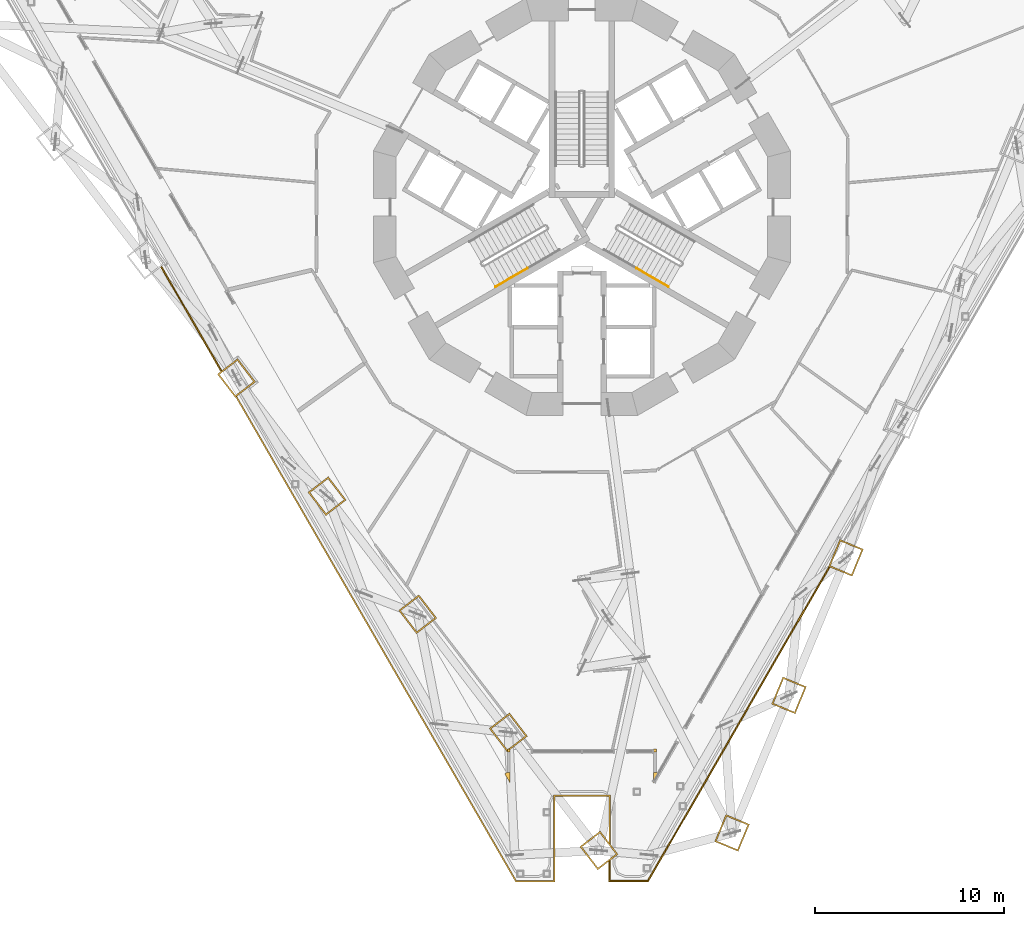
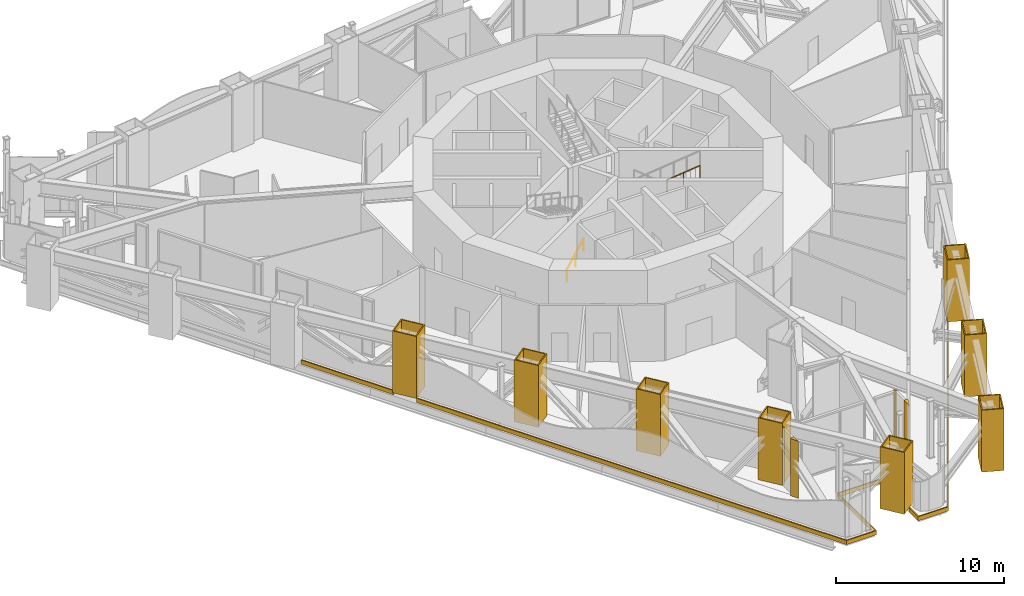
# One storey, part 21 of 28: 15 coverings, 2 railings.
"""IFC4 building model written with IfcOpenShell, lengths in metres."""

from ifc_helpers import new_model, si_unit, direction, frame, origin, origin_2d, place, context, subcontext, project, spatial, polyline, circle, outline, extrude, material, layer, layer_set, type_object, element, save


model = new_model("IFC4")

# Units and contexts
model_context = context("Model", 3, precision=1e-05, world=origin(), true_north=direction((0.0, 1.0)))
body_context = subcontext(model_context, "Body", "Model", "MODEL_VIEW")
ifc_project = project(units=[si_unit("LENGTHUNIT", "METRE"), si_unit("AREAUNIT", "SQUARE_METRE"), si_unit("VOLUMEUNIT", "CUBIC_METRE"), si_unit("PLANEANGLEUNIT", "RADIAN"), si_unit("MASSUNIT", "GRAM", prefix="KILO")], contexts=[model_context])

# Site, building, storey
site_placement = place(None, origin())
site = spatial("IfcSite", under=ifc_project, at=site_placement, CompositionType="ELEMENT")
building_placement = place(site_placement, origin())
building = spatial("IfcBuilding", under=site, at=building_placement, Name="Trine Commons Tower", CompositionType="ELEMENT")
storey_placement = place(building_placement, frame((0.0, 0.0, 45.89990234375)))
storey = spatial("IfcBuildingStorey", under=building, at=storey_placement, Name="L10", CompositionType="ELEMENT", Elevation=45.89990234375)

# Coverings
ifc_material_1 = material(Name="Aluminium-framed insulated wall panel", Category="aluminium")
ifc_layer_1 = layer(ifc_material_1, 0.14990234375)
ifc_layer_set_1 = layer_set([ifc_layer_1], Name="Aluminium-framed insulated wall panel")
covering_type_1 = type_object("IfcCoveringType", Name="Glazing corner post, aluminium", PredefinedType="CLADDING", material=ifc_layer_set_1)
covering_1_placement = place(storey_placement, origin())
element("IfcCovering", 1, at=covering_1_placement, inside=storey, type_object=covering_type_1, Name="Glazing corner post 1-09", PredefinedType="CLADDING", context=body_context, shape_type="SweptSolid", body=[
    extrude(outline(polyline([(83.7900390625, 32.635009765625), (83.7900390625, 32.0751953125), (84.06982421875, 32.56005859375), (83.93994140625, 32.635009765625), (83.93994140625, 32.635009765625), (83.7900390625, 32.635009765625)])), origin(), (0.0, 0.0, 1.0), 4.150146484375),
])
covering_2_placement = place(storey_placement, origin())
element("IfcCovering", 2, at=covering_2_placement, inside=storey, type_object=covering_type_1, Name="Glazing corner post 1-10", PredefinedType="CLADDING", context=body_context, shape_type="SweptSolid", body=[
    extrude(outline(polyline([(83.93994140625, 33.720703125), (83.93994140625, 33.870849609375), (83.7900390625, 33.870849609375), (83.7900390625, 33.720703125), (83.93994140625, 33.720703125)])), origin(), (0.0, 0.0, 1.0), 4.150146484375),
])
covering_3_placement = place(storey_placement, origin())
element("IfcCovering", 3, at=covering_3_placement, inside=storey, type_object=covering_type_1, Name="Glazing corner post 1-11", PredefinedType="CLADDING", context=body_context, shape_type="SweptSolid", body=[
    extrude(outline(polyline([(76.2099609375, 33.870849609375), (76.06005859375, 33.870849609375), (76.06005859375, 33.720703125), (76.2099609375, 33.720703125), (76.2099609375, 33.870849609375)])), origin(), (0.0, 0.0, 1.0), 4.150146484375),
])
covering_4_placement = place(storey_placement, origin())
element("IfcCovering", 4, at=covering_4_placement, inside=storey, type_object=covering_type_1, Name="Glazing corner post 1-12", PredefinedType="CLADDING", context=body_context, shape_type="SweptSolid", body=[
    extrude(outline(polyline([(75.93017578125, 32.56005859375), (76.2099609375, 32.0751953125), (76.2099609375, 32.635009765625), (76.06005859375, 32.635009765625), (75.93017578125, 32.56005859375)])), origin(), (0.0, 0.0, 1.0), 4.150146484375),
])
ifc_material_2 = material(Name="Limestone, honed", Category="masonry")
ifc_layer_2 = layer(ifc_material_2, 0.074951171875)
ifc_layer_set_2 = layer_set([ifc_layer_2], Name="Limestone, honed")
covering_type_2 = type_object("IfcCoveringType", Name="Limestone column cladding 75", PredefinedType="CLADDING", material=ifc_layer_set_2)
covering_5_placement = place(storey_placement, origin())
element("IfcCovering", 5, at=covering_5_placement, inside=storey, type_object=covering_type_2, Name="Limestone pier cladding 2-01", PredefinedType="CLADDING", context=body_context, shape_type="SweptSolid", body=[
    extrude(outline(polyline([(80.963134765625, 29.5380859375), (79.89208984375, 28.71630859375), (80.835693359375, 27.486572265625), (81.90673828125, 28.308349609375), (80.963134765625, 29.5380859375)]), holes=[polyline([(80.949462890625, 29.432861328125), (79.997314453125, 28.702392578125), (80.849609375, 27.591796875), (81.801513671875, 28.322265625), (80.949462890625, 29.432861328125)])]), origin(), (0.0, 0.0, 1.0), 4.5),
])
covering_6_placement = place(storey_placement, origin())
element("IfcCovering", 6, at=covering_6_placement, inside=storey, type_object=covering_type_2, Name="Limestone pier cladding 2-02", PredefinedType="CLADDING", context=body_context, shape_type="SweptSolid", body=[
    extrude(outline(polyline([(76.177978515625, 35.7744140625), (75.10693359375, 34.952392578125), (76.050537109375, 33.72265625), (77.12158203125, 34.544677734375), (76.177978515625, 35.7744140625)]), holes=[polyline([(76.164306640625, 35.669189453125), (75.212158203125, 34.938720703125), (76.064453125, 33.827880859375), (77.016357421875, 34.558349609375), (76.164306640625, 35.669189453125)])]), origin(), (0.0, 0.0, 1.0), 4.5),
])
covering_7_placement = place(storey_placement, origin())
element("IfcCovering", 7, at=covering_7_placement, inside=storey, type_object=covering_type_2, Name="Limestone pier cladding 2-03", PredefinedType="CLADDING", context=body_context, shape_type="SweptSolid", body=[
    extrude(outline(polyline([(71.392822265625, 42.010498046875), (70.32177734375, 41.188720703125), (71.265380859375, 39.958984375), (72.33642578125, 40.78076171875), (71.392822265625, 42.010498046875)]), holes=[polyline([(71.37890625, 41.9052734375), (70.427001953125, 41.1748046875), (71.279296875, 40.064208984375), (72.231201171875, 40.794677734375), (71.37890625, 41.9052734375)])]), origin(), (0.0, 0.0, 1.0), 4.5),
])
covering_8_placement = place(storey_placement, origin())
element("IfcCovering", 8, at=covering_8_placement, inside=storey, type_object=covering_type_2, Name="Limestone pier cladding 2-04", PredefinedType="CLADDING", context=body_context, shape_type="SweptSolid", body=[
    extrude(outline(polyline([(66.607666015625, 48.24658203125), (65.53662109375, 47.4248046875), (66.480224609375, 46.195068359375), (67.55126953125, 47.016845703125), (66.607666015625, 48.24658203125)]), holes=[polyline([(66.593994140625, 48.141357421875), (65.641845703125, 47.410888671875), (66.494140625, 46.30029296875), (67.446044921875, 47.03076171875), (66.593994140625, 48.141357421875)])]), origin(), (0.0, 0.0, 1.0), 4.5),
])
covering_9_placement = place(storey_placement, origin())
element("IfcCovering", 9, at=covering_9_placement, inside=storey, type_object=covering_type_2, Name="Limestone pier cladding 2-05", PredefinedType="CLADDING", context=body_context, shape_type="SweptSolid", body=[
    extrude(outline(polyline([(61.822509765625, 54.48291015625), (60.75146484375, 53.660888671875), (61.695068359375, 52.43115234375), (62.76611328125, 53.253173828125), (61.822509765625, 54.48291015625)]), holes=[polyline([(61.80859375, 54.377685546875), (60.856689453125, 53.647216796875), (61.708984375, 52.536376953125), (62.660888671875, 53.266845703125), (61.80859375, 54.377685546875)])]), origin(), (0.0, 0.0, 1.0), 4.5),
])
covering_10_placement = place(storey_placement, origin())
element("IfcCovering", 10, at=covering_10_placement, inside=storey, type_object=covering_type_2, Name="Limestone pier cladding 2-22", PredefinedType="CLADDING", context=body_context, shape_type="SweptSolid", body=[
    extrude(outline(polyline([(94.8642578125, 44.419677734375), (93.616943359375, 44.936279296875), (93.023681640625, 43.50439453125), (94.27099609375, 42.98779296875), (94.8642578125, 44.419677734375)]), holes=[polyline([(94.76611328125, 44.379150390625), (93.65771484375, 44.83837890625), (93.121826171875, 43.544921875), (94.23046875, 43.085693359375), (94.76611328125, 44.379150390625)])]), origin(), (0.0, 0.0, 1.0), 4.5),
])
covering_11_placement = place(storey_placement, origin())
element("IfcCovering", 11, at=covering_11_placement, inside=storey, type_object=covering_type_2, Name="Limestone pier cladding 2-23", PredefinedType="CLADDING", context=body_context, shape_type="SweptSolid", body=[
    extrude(outline(polyline([(91.856201171875, 37.157470703125), (90.60888671875, 37.674072265625), (90.015625, 36.2421875), (91.262939453125, 35.7255859375), (91.856201171875, 37.157470703125)]), holes=[polyline([(91.758056640625, 37.116943359375), (90.6494140625, 37.576171875), (90.11376953125, 36.28271484375), (91.222412109375, 35.823486328125), (91.758056640625, 37.116943359375)])]), origin(), (0.0, 0.0, 1.0), 4.5),
])
covering_12_placement = place(storey_placement, origin())
element("IfcCovering", 12, at=covering_12_placement, inside=storey, type_object=covering_type_2, Name="Limestone pier cladding 2-24", PredefinedType="CLADDING", context=body_context, shape_type="SweptSolid", body=[
    extrude(outline(polyline([(88.847900390625, 29.895263671875), (87.600830078125, 30.411865234375), (87.007568359375, 28.97998046875), (88.2548828125, 28.46337890625), (88.847900390625, 29.895263671875)]), holes=[polyline([(88.75, 29.854736328125), (87.641357421875, 30.31396484375), (87.105712890625, 29.0205078125), (88.214111328125, 28.561279296875), (88.75, 29.854736328125)])]), origin(), (0.0, 0.0, 1.0), 4.5),
])
ifc_layer_3 = layer(ifc_material_2, 0.074951171875)
ifc_layer_set_3 = layer_set([ifc_layer_3], Name="Limestone, honed")
covering_type_3 = type_object("IfcCoveringType", Name="Limestone spandrel panel 75", PredefinedType="CLADDING", material=ifc_layer_set_3)
covering_13_placement = place(storey_placement, frame((0.0, 0.0, -0.2998046875)))
element("IfcCovering", 13, at=covering_13_placement, inside=storey, type_object=covering_type_3, Name="Limestone spandrel panel 1-01", PredefinedType="CLADDING", context=body_context, shape_type="SweptSolid", body=[
    extrude(outline(polyline([(57.752685546875, 59.314208984375), (60.935302734375, 53.802001953125), (60.9951171875, 53.847900390625), (57.812744140625, 59.360107421875), (57.752685546875, 59.314208984375)])), origin(), (0.0, 0.0, 1.0), 0.2998046875),
])
covering_14_placement = place(storey_placement, frame((0.0, 0.0, -0.2998046875)))
element("IfcCovering", 14, at=covering_14_placement, inside=storey, type_object=covering_type_3, Name="Limestone spandrel panel 1-02", PredefinedType="CLADDING", context=body_context, shape_type="SweptSolid", body=[
    extrude(outline(polyline([(81.425048828125, 31.355712890625), (81.425048828125, 28.936279296875), (81.5, 28.83837890625), (81.5, 31.430908203125), (78.5, 31.430908203125), (78.5, 26.930908203125), (76.535888671875, 26.930908203125), (61.77685546875, 52.494140625), (61.716796875, 52.447998046875), (76.49267578125, 26.855712890625), (78.574951171875, 26.855712890625), (78.574951171875, 31.355712890625), (81.425048828125, 31.355712890625)])), origin(), (0.0, 0.0, 1.0), 0.2998046875),
])
covering_15_placement = place(storey_placement, frame((0.0, 0.0, -0.2998046875)))
element("IfcCovering", 15, at=covering_15_placement, inside=storey, type_object=covering_type_3, Name="Limestone spandrel panel 1-03", PredefinedType="CLADDING", context=body_context, shape_type="SweptSolid", body=[
    extrude(outline(polyline([(81.425048828125, 27.938720703125), (81.425048828125, 26.855712890625), (83.50732421875, 26.855712890625), (93.10107421875, 43.472412109375), (93.031005859375, 43.501220703125), (83.464111328125, 26.930908203125), (81.5, 26.930908203125), (81.5, 27.99609375), (81.425048828125, 27.938720703125)])), origin(), (0.0, 0.0, 1.0), 0.2998046875),
])

# Railings
ifc_material_3 = material(Name="Stainless steel handrail", Category="steel")
railing_type = type_object("IfcRailingType", Name="Stair handrail, steel 900", PredefinedType="HANDRAIL", material=ifc_material_3)
railing_1_placement = place(storey_placement, frame((75.43017578125, 58.27392578125, 0.150146484375)))
element("IfcRailing", 16, at=railing_1_placement, inside=storey, type_object=railing_type, Name="L10 ST2A stair handrail 1", PredefinedType="HANDRAIL", context=body_context, shape_type="SweptSolid", body=[
    extrude(circle(Radius=0.02099609375, at=origin_2d()), frame((0.0, 0.0, 0.87890625), z_axis=(0.763397845365, 0.440713210311, 0.472224095054), x_axis=(-0.499970440388, 0.866042469362, 0.0)), (0.0, 0.0, 1.0), 2.2236328125),
    extrude(circle(Radius=0.01513671875, at=origin_2d()), origin(), (0.0, 0.0, 1.0), 0.85791015625),
    extrude(circle(Radius=0.01513671875, at=origin_2d()), frame((0.8486328125, 0.489990234375, 0.52490234375)), (0.0, 0.0, 1.0), 0.85791015625),
    extrude(circle(Radius=0.01513671875, at=origin_2d()), frame((1.697509765625, 0.97998046875, 1.050048828125)), (0.0, 0.0, 1.0), 0.85791015625),
])
railing_2_placement = place(storey_placement, frame((82.872314453125, 59.25390625, 3.4501953125)))
element("IfcRailing", 17, at=railing_2_placement, inside=storey, type_object=railing_type, Name="L10 ST3A stair handrail 4", PredefinedType="HANDRAIL", context=body_context, shape_type="SweptSolid", body=[
    extrude(circle(Radius=0.02099609375, at=origin_2d()), frame((0.0, 0.0, 0.87890625), z_axis=(0.763437424022, -0.440736059258, 0.47213877798), x_axis=(0.499970440388, 0.866042469362, 0.0)), (0.0, 0.0, 1.0), 2.223388671875),
    extrude(circle(Radius=0.01513671875, at=origin_2d()), origin(), (0.0, 0.0, 1.0), 0.85791015625),
    extrude(circle(Radius=0.01513671875, at=origin_2d()), frame((0.8486328125, -0.489990234375, 0.52490234375)), (0.0, 0.0, 1.0), 0.85791015625),
    extrude(circle(Radius=0.01513671875, at=origin_2d()), frame((1.697509765625, -0.97998046875, 1.0498046875)), (0.0, 0.0, 1.0), 0.85791015625),
])

save(model, "model.ifc")
